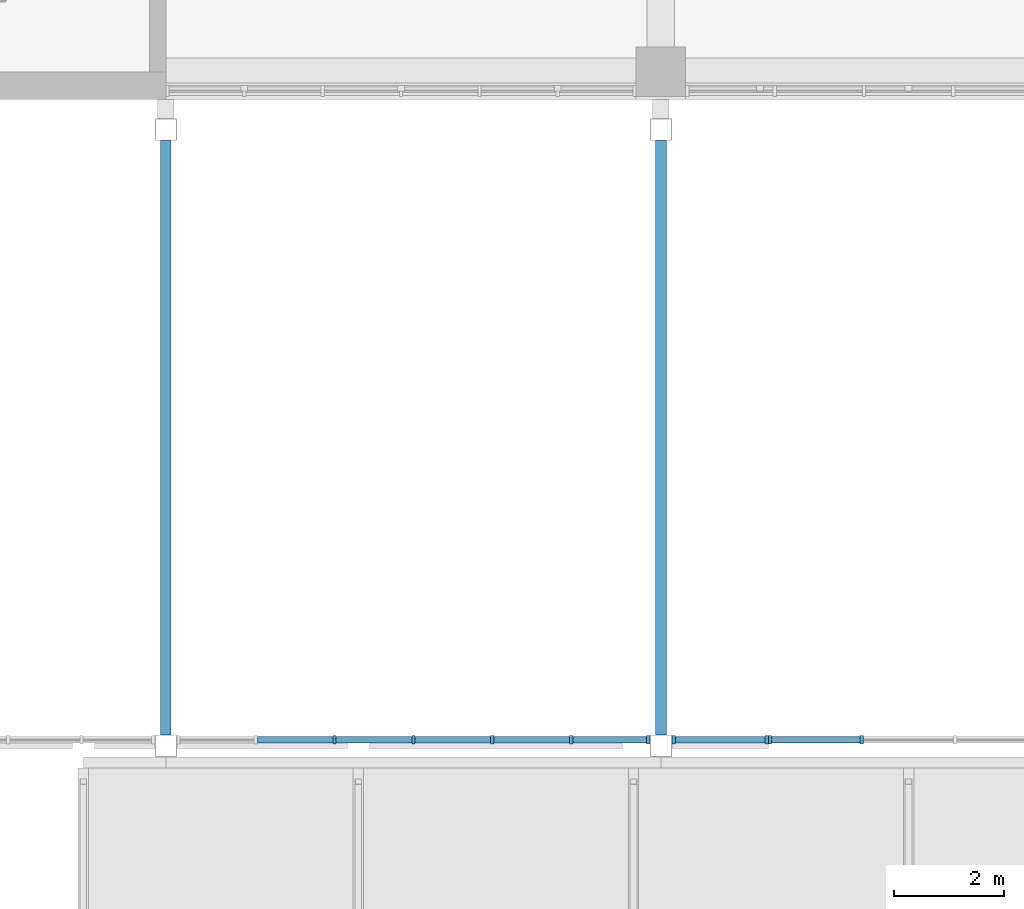
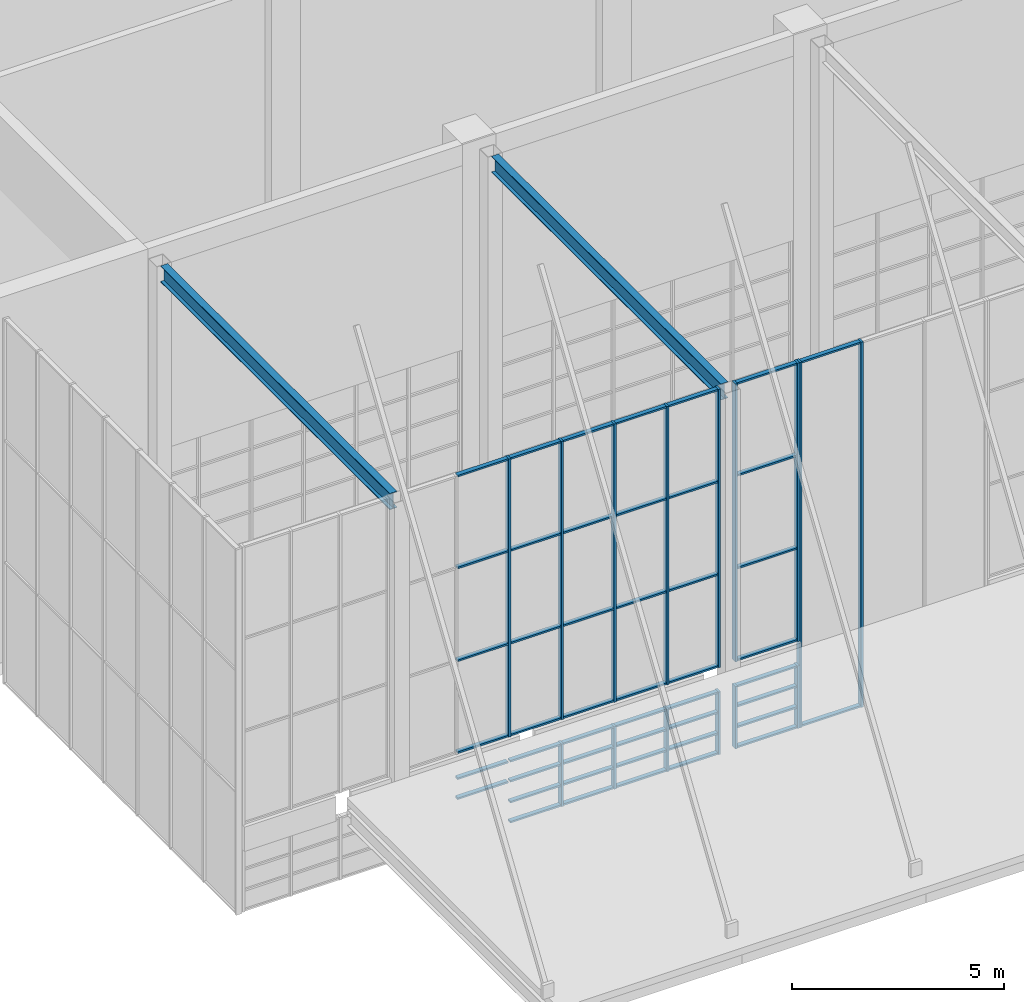
# One storey, part 18 of 182: 63 members, 2 beams, 5 elements without a shape of their own.
"""IFC4 building model written with IfcOpenShell, lengths in metres."""

from ifc_helpers import new_model, si_unit, direction, frame, origin, origin_2d, place, context, subcontext, project, spatial, rectangle, i_section, extrude, material, material_profile, profile_set, type_object, element, aggregate, save


model = new_model("IFC4")

# Units and contexts
model_context = context("Model", 3, precision=1e-05, world=origin(), true_north=direction((0.0, 1.0)))
body_context = subcontext(model_context, "Body", "Model", "MODEL_VIEW")
ifc_project = project(units=[si_unit("LENGTHUNIT", "METRE"), si_unit("AREAUNIT", "SQUARE_METRE"), si_unit("VOLUMEUNIT", "CUBIC_METRE"), si_unit("PLANEANGLEUNIT", "RADIAN"), si_unit("MASSUNIT", "GRAM", prefix="KILO")], contexts=[model_context])

# Site, building, storey
site_placement = place(None, origin())
site = spatial("IfcSite", under=ifc_project, at=site_placement, CompositionType="ELEMENT")
building_placement = place(site_placement, origin())
building = spatial("IfcBuilding", under=site, at=building_placement, Name="Silverbay Arena", CompositionType="ELEMENT")
storey_placement = place(building_placement, frame((0.0, 0.0, 11.5)))
storey = spatial("IfcBuildingStorey", under=building, at=storey_placement, Name="L02", CompositionType="ELEMENT", Elevation=11.5)

# Beams
ifc_material_1 = material(Name="Steel S355", Category="steel")
ifc_material_profile_1 = material_profile(ifc_material_1, i_section(OverallWidth=0.19287109375, OverallDepth=0.46728515625, WebThickness=0.011474609375, FlangeThickness=0.01953125, at=origin_2d()), Name="UB 457x191x98")
ifc_profile_set_1 = profile_set([ifc_material_profile_1], Name="Steel S355")
beam_type = type_object("IfcBeamType", Name="Hall beam UB 457x191x98", PredefinedType="BEAM", material=ifc_profile_set_1)
for number, where, z_axis, x_axis, name in (
    (1, (117.0, 16.75, 10.266357421875), (0.0, -1.0, 0.0), (1.0, 0.0, 0.0), "South entrance hall S1 transverse beam 1L22"),
    (2, (126.0, 16.75, 10.266357421875), (0.0, -1.0, 0.0), (1.0, 0.0, 0.0), "South entrance hall S1 transverse beam 2L22"),
):
    element("IfcBeam", number, at=place(storey_placement, frame(where, z_axis=z_axis, x_axis=x_axis)), inside=storey, type_object=beam_type, Name=name, PredefinedType="BEAM", context=body_context, shape_type="SweptSolid", body=[
        extrude(i_section(OverallWidth=0.19287109375, OverallDepth=0.46728515625, WebThickness=0.011474609375, FlangeThickness=0.01953125, at=origin_2d()), origin(), (0.0, 0.0, 1.0), 10.800048828125),
    ])

# Curtain wall, members
ifc_material_2 = material(Name="Aluminium framed curtain wall", Category="aluminium")
curtain_wall_type_1 = type_object("IfcCurtainWallType", Name="Curtain wall 8600 x 1800", PredefinedType="NOTDEFINED", material=ifc_material_2)
curtain_wall_1_placement = place(storey_placement, origin())
curtain_wall_1 = element("IfcCurtainWall", 3, at=curtain_wall_1_placement, inside=storey, type_object=curtain_wall_type_1, Name="South entrance hall S1 glazing F0", PredefinedType="NOTDEFINED")
ifc_material_3 = material(Name="Aluminium", Category="aluminium")
ifc_material_profile_2 = material_profile(ifc_material_3, rectangle(XDim=0.159912109375, YDim=0.06005859375, at=origin_2d()), Name="Mullion 60 x 160")
ifc_profile_set_2 = profile_set([ifc_material_profile_2], Name="Aluminium")
member_type_1 = type_object("IfcMemberType", Name="Mullion 60 x 160", PredefinedType="MULLION", material=ifc_profile_set_2)
member_1_placement = place(storey_placement, frame((121.5, 5.860107421875, 0.0), z_axis=(0.0, 0.0, 1.0), x_axis=(0.0, 1.0, 0.0)))
member_1 = element("IfcMember", 4, at=member_1_placement, type_object=member_type_1, Name="CW25 mullion 4", PredefinedType="MULLION", context=body_context, shape_type="SweptSolid", body=[
    extrude(rectangle(XDim=0.159912109375, YDim=0.06005859375, at=origin_2d()), origin(), (0.0, 0.0, 1.0), 1.800048828125),
])
member_2_placement = place(storey_placement, frame((122.933349609375, 5.860107421875, 0.0), z_axis=(0.0, 0.0, 1.0), x_axis=(0.0, 1.0, 0.0)))
member_2 = element("IfcMember", 5, at=member_2_placement, type_object=member_type_1, Name="CW25 mullion 5", PredefinedType="MULLION", context=body_context, shape_type="SweptSolid", body=[
    extrude(rectangle(XDim=0.159912109375, YDim=0.06005859375, at=origin_2d()), origin(), (0.0, 0.0, 1.0), 1.800048828125),
])
member_3_placement = place(storey_placement, frame((124.36669921875, 5.860107421875, 0.0), z_axis=(0.0, 0.0, 1.0), x_axis=(0.0, 1.0, 0.0)))
member_3 = element("IfcMember", 6, at=member_3_placement, type_object=member_type_1, Name="CW25 mullion 6", PredefinedType="MULLION", context=body_context, shape_type="SweptSolid", body=[
    extrude(rectangle(XDim=0.159912109375, YDim=0.06005859375, at=origin_2d()), origin(), (0.0, 0.0, 1.0), 1.800048828125),
])
member_4_placement = place(storey_placement, frame((125.77001953125, 5.860107421875, 0.0), z_axis=(0.0, 0.0, 1.0), x_axis=(0.0, 1.0, 0.0)))
member_4 = element("IfcMember", 7, at=member_4_placement, type_object=member_type_1, Name="CW25 mullion 7", PredefinedType="MULLION", context=body_context, shape_type="SweptSolid", body=[
    extrude(rectangle(XDim=0.159912109375, YDim=0.06005859375, at=origin_2d()), origin(), (0.0, 0.0, 1.0), 1.800048828125),
])

ifc_material_4 = material(Name="Aluminium framed curtain wall", Category="aluminium")
curtain_wall_type_2 = type_object("IfcCurtainWallType", Name="Curtain wall 8600 x 8000", PredefinedType="NOTDEFINED", material=ifc_material_4)
curtain_wall_2_placement = place(storey_placement, origin())
curtain_wall_2 = element("IfcCurtainWall", 8, at=curtain_wall_2_placement, inside=storey, type_object=curtain_wall_type_2, Name="South entrance hall S1 glazing F0", PredefinedType="NOTDEFINED")
member_5_placement = place(storey_placement, frame((120.066650390625, 5.860107421875, 2.5), z_axis=(0.0, 0.0, 1.0), x_axis=(0.0, 1.0, 0.0)))
member_5 = element("IfcMember", 9, at=member_5_placement, type_object=member_type_1, Name="CW26 mullion 3", PredefinedType="MULLION", context=body_context, shape_type="SweptSolid", body=[
    extrude(rectangle(XDim=0.159912109375, YDim=0.06005859375, at=origin_2d()), origin(), (0.0, 0.0, 1.0), 8.0),
])
member_6_placement = place(storey_placement, frame((121.5, 5.860107421875, 2.5), z_axis=(0.0, 0.0, 1.0), x_axis=(0.0, 1.0, 0.0)))
member_6 = element("IfcMember", 10, at=member_6_placement, type_object=member_type_1, Name="CW26 mullion 4", PredefinedType="MULLION", context=body_context, shape_type="SweptSolid", body=[
    extrude(rectangle(XDim=0.159912109375, YDim=0.06005859375, at=origin_2d()), origin(), (0.0, 0.0, 1.0), 8.0),
])
member_7_placement = place(storey_placement, frame((122.933349609375, 5.860107421875, 2.5), z_axis=(0.0, 0.0, 1.0), x_axis=(0.0, 1.0, 0.0)))
member_7 = element("IfcMember", 11, at=member_7_placement, type_object=member_type_1, Name="CW26 mullion 5", PredefinedType="MULLION", context=body_context, shape_type="SweptSolid", body=[
    extrude(rectangle(XDim=0.159912109375, YDim=0.06005859375, at=origin_2d()), origin(), (0.0, 0.0, 1.0), 8.0),
])
member_8_placement = place(storey_placement, frame((124.36669921875, 5.860107421875, 2.5), z_axis=(0.0, 0.0, 1.0), x_axis=(0.0, 1.0, 0.0)))
member_8 = element("IfcMember", 12, at=member_8_placement, type_object=member_type_1, Name="CW26 mullion 6", PredefinedType="MULLION", context=body_context, shape_type="SweptSolid", body=[
    extrude(rectangle(XDim=0.159912109375, YDim=0.06005859375, at=origin_2d()), origin(), (0.0, 0.0, 1.0), 8.0),
])
member_9_placement = place(storey_placement, frame((125.77001953125, 5.860107421875, 2.5), z_axis=(0.0, 0.0, 1.0), x_axis=(0.0, 1.0, 0.0)))
member_9 = element("IfcMember", 13, at=member_9_placement, type_object=member_type_1, Name="CW26 mullion 7", PredefinedType="MULLION", context=body_context, shape_type="SweptSolid", body=[
    extrude(rectangle(XDim=0.159912109375, YDim=0.06005859375, at=origin_2d()), origin(), (0.0, 0.0, 1.0), 8.0),
])

ifc_material_5 = material(Name="Aluminium framed curtain wall", Category="aluminium")
curtain_wall_type_3 = type_object("IfcCurtainWallType", Name="Curtain wall 1750 x 1800", PredefinedType="NOTDEFINED", material=ifc_material_5)
curtain_wall_3_placement = place(storey_placement, origin())
curtain_wall_3 = element("IfcCurtainWall", 14, at=curtain_wall_3_placement, inside=storey, type_object=curtain_wall_type_3, Name="South entrance hall S1 glazing F1a", PredefinedType="NOTDEFINED")
member_10_placement = place(storey_placement, frame((126.22998046875, 5.860107421875, 0.0), z_axis=(0.0, 0.0, 1.0), x_axis=(0.0, 1.0, 0.0)))
member_10 = element("IfcMember", 15, at=member_10_placement, type_object=member_type_1, Name="CW29 mullion 1", PredefinedType="MULLION", context=body_context, shape_type="SweptSolid", body=[
    extrude(rectangle(XDim=0.159912109375, YDim=0.06005859375, at=origin_2d()), origin(), (0.0, 0.0, 1.0), 1.800048828125),
])
member_11_placement = place(storey_placement, frame((127.919921875, 5.860107421875, 0.0), z_axis=(0.0, 0.0, 1.0), x_axis=(0.0, 1.0, 0.0)))
member_11 = element("IfcMember", 16, at=member_11_placement, type_object=member_type_1, Name="CW29 mullion 2", PredefinedType="MULLION", context=body_context, shape_type="SweptSolid", body=[
    extrude(rectangle(XDim=0.159912109375, YDim=0.06005859375, at=origin_2d()), origin(), (0.0, 0.0, 1.0), 1.800048828125),
])

ifc_material_6 = material(Name="Aluminium framed curtain wall", Category="aluminium")
curtain_wall_type_4 = type_object("IfcCurtainWallType", Name="Curtain wall 1750 x 8000", PredefinedType="NOTDEFINED", material=ifc_material_6)
curtain_wall_4_placement = place(storey_placement, origin())
curtain_wall_4 = element("IfcCurtainWall", 17, at=curtain_wall_4_placement, inside=storey, type_object=curtain_wall_type_4, Name="South entrance hall S1 glazing F1a", PredefinedType="NOTDEFINED")
member_12_placement = place(storey_placement, frame((126.22998046875, 5.860107421875, 2.5), z_axis=(0.0, 0.0, 1.0), x_axis=(0.0, 1.0, 0.0)))
member_12 = element("IfcMember", 18, at=member_12_placement, type_object=member_type_1, Name="CW30 mullion 1", PredefinedType="MULLION", context=body_context, shape_type="SweptSolid", body=[
    extrude(rectangle(XDim=0.159912109375, YDim=0.06005859375, at=origin_2d()), origin(), (0.0, 0.0, 1.0), 8.0),
])
member_13_placement = place(storey_placement, frame((127.919921875, 5.860107421875, 2.5), z_axis=(0.0, 0.0, 1.0), x_axis=(0.0, 1.0, 0.0)))
member_13 = element("IfcMember", 19, at=member_13_placement, type_object=member_type_1, Name="CW30 mullion 2", PredefinedType="MULLION", context=body_context, shape_type="SweptSolid", body=[
    extrude(rectangle(XDim=0.159912109375, YDim=0.06005859375, at=origin_2d()), origin(), (0.0, 0.0, 1.0), 8.0),
])

ifc_material_7 = material(Name="Aluminium framed curtain wall", Category="aluminium")
curtain_wall_type_5 = type_object("IfcCurtainWallType", Name="Curtain wall 5100 x 10500", PredefinedType="NOTDEFINED", material=ifc_material_7)
curtain_wall_5_placement = place(storey_placement, origin())
curtain_wall_5 = element("IfcCurtainWall", 20, at=curtain_wall_5_placement, inside=storey, type_object=curtain_wall_type_5, Name="South entrance hall S1 glazing over the door", PredefinedType="NOTDEFINED")
member_14_placement = place(storey_placement, frame((127.97998046875, 5.860107421875, 0.0), z_axis=(0.0, 0.0, 1.0), x_axis=(0.0, 1.0, 0.0)))
member_14 = element("IfcMember", 21, at=member_14_placement, type_object=member_type_1, Name="CW40 mullion 1", PredefinedType="MULLION", context=body_context, shape_type="SweptSolid", body=[
    extrude(rectangle(XDim=0.159912109375, YDim=0.06005859375, at=origin_2d()), origin(), (0.0, 0.0, 1.0), 10.5),
])
member_15_placement = place(storey_placement, frame((129.64990234375, 5.860107421875, 0.0), z_axis=(0.0, 0.0, 1.0), x_axis=(0.0, 1.0, 0.0)))
member_15 = element("IfcMember", 22, at=member_15_placement, type_object=member_type_1, Name="CW40 mullion 2", PredefinedType="MULLION", context=body_context, shape_type="SweptSolid", body=[
    extrude(rectangle(XDim=0.159912109375, YDim=0.06005859375, at=origin_2d()), origin(), (0.0, 0.0, 1.0), 10.5),
])

# Member
ifc_material_8 = material(Name="Aluminium", Category="aluminium")
ifc_material_profile_3 = material_profile(ifc_material_8, rectangle(XDim=0.1201171875, YDim=0.050048828125, at=origin_2d()), Name="Transom 50 x 120")
ifc_profile_set_3 = profile_set([ifc_material_profile_3], Name="Aluminium")
member_type_2 = type_object("IfcMemberType", Name="Transom 50 x 120", PredefinedType="USERDEFINED", material=ifc_profile_set_3)
member_16_placement = place(storey_placement, frame((118.663330078125, 5.860107421875, 1.199951171875), z_axis=(1.0, 0.0, 0.0), x_axis=(0.0, 1.0, 0.0)))
member_16 = element("IfcMember", 23, at=member_16_placement, type_object=member_type_2, Name="CW25 transom 2.3", ObjectType="TRANSOM", PredefinedType="USERDEFINED", context=body_context, shape_type="SweptSolid", body=[
    extrude(rectangle(XDim=0.1201171875, YDim=0.050048828125, at=origin_2d()), origin(), (0.0, 0.0, 1.0), 1.373291015625),
])

member_17_placement = place(storey_placement, frame((118.663330078125, 5.860107421875, 1.77490234375), z_axis=(1.0, 0.0, 0.0), x_axis=(0.0, 1.0, 0.0)))
member_17 = element("IfcMember", 24, at=member_17_placement, type_object=member_type_2, Name="CW25 transom 2.4", ObjectType="TRANSOM", PredefinedType="USERDEFINED", context=body_context, shape_type="SweptSolid", body=[
    extrude(rectangle(XDim=0.1201171875, YDim=0.050048828125, at=origin_2d()), origin(), (0.0, 0.0, 1.0), 1.373291015625),
])

member_18_placement = place(storey_placement, frame((120.0966796875, 5.860107421875, 0.02490234375), z_axis=(1.0, 0.0, 0.0), x_axis=(0.0, 1.0, 0.0)))
member_18 = element("IfcMember", 25, at=member_18_placement, type_object=member_type_2, Name="CW25 transom 3.1", ObjectType="TRANSOM", PredefinedType="USERDEFINED", context=body_context, shape_type="SweptSolid", body=[
    extrude(rectangle(XDim=0.1201171875, YDim=0.050048828125, at=origin_2d()), origin(), (0.0, 0.0, 1.0), 1.373291015625),
])

member_19_placement = place(storey_placement, frame((120.0966796875, 5.860107421875, 0.60009765625), z_axis=(1.0, 0.0, 0.0), x_axis=(0.0, 1.0, 0.0)))
member_19 = element("IfcMember", 26, at=member_19_placement, type_object=member_type_2, Name="CW25 transom 3.2", ObjectType="TRANSOM", PredefinedType="USERDEFINED", context=body_context, shape_type="SweptSolid", body=[
    extrude(rectangle(XDim=0.1201171875, YDim=0.050048828125, at=origin_2d()), origin(), (0.0, 0.0, 1.0), 1.373291015625),
])

member_20_placement = place(storey_placement, frame((120.0966796875, 5.860107421875, 1.199951171875), z_axis=(1.0, 0.0, 0.0), x_axis=(0.0, 1.0, 0.0)))
member_20 = element("IfcMember", 27, at=member_20_placement, type_object=member_type_2, Name="CW25 transom 3.3", ObjectType="TRANSOM", PredefinedType="USERDEFINED", context=body_context, shape_type="SweptSolid", body=[
    extrude(rectangle(XDim=0.1201171875, YDim=0.050048828125, at=origin_2d()), origin(), (0.0, 0.0, 1.0), 1.373291015625),
])

member_21_placement = place(storey_placement, frame((120.0966796875, 5.860107421875, 1.77490234375), z_axis=(1.0, 0.0, 0.0), x_axis=(0.0, 1.0, 0.0)))
member_21 = element("IfcMember", 28, at=member_21_placement, type_object=member_type_2, Name="CW25 transom 3.4", ObjectType="TRANSOM", PredefinedType="USERDEFINED", context=body_context, shape_type="SweptSolid", body=[
    extrude(rectangle(XDim=0.1201171875, YDim=0.050048828125, at=origin_2d()), origin(), (0.0, 0.0, 1.0), 1.373291015625),
])

member_22_placement = place(storey_placement, frame((121.530029296875, 5.860107421875, 0.02490234375), z_axis=(1.0, 0.0, 0.0), x_axis=(0.0, 1.0, 0.0)))
member_22 = element("IfcMember", 29, at=member_22_placement, type_object=member_type_2, Name="CW25 transom 4.1", ObjectType="TRANSOM", PredefinedType="USERDEFINED", context=body_context, shape_type="SweptSolid", body=[
    extrude(rectangle(XDim=0.1201171875, YDim=0.050048828125, at=origin_2d()), origin(), (0.0, 0.0, 1.0), 1.373291015625),
])

member_23_placement = place(storey_placement, frame((121.530029296875, 5.860107421875, 0.60009765625), z_axis=(1.0, 0.0, 0.0), x_axis=(0.0, 1.0, 0.0)))
member_23 = element("IfcMember", 30, at=member_23_placement, type_object=member_type_2, Name="CW25 transom 4.2", ObjectType="TRANSOM", PredefinedType="USERDEFINED", context=body_context, shape_type="SweptSolid", body=[
    extrude(rectangle(XDim=0.1201171875, YDim=0.050048828125, at=origin_2d()), origin(), (0.0, 0.0, 1.0), 1.373291015625),
])

member_24_placement = place(storey_placement, frame((121.530029296875, 5.860107421875, 1.199951171875), z_axis=(1.0, 0.0, 0.0), x_axis=(0.0, 1.0, 0.0)))
member_24 = element("IfcMember", 31, at=member_24_placement, type_object=member_type_2, Name="CW25 transom 4.3", ObjectType="TRANSOM", PredefinedType="USERDEFINED", context=body_context, shape_type="SweptSolid", body=[
    extrude(rectangle(XDim=0.1201171875, YDim=0.050048828125, at=origin_2d()), origin(), (0.0, 0.0, 1.0), 1.373291015625),
])

member_25_placement = place(storey_placement, frame((121.530029296875, 5.860107421875, 1.77490234375), z_axis=(1.0, 0.0, 0.0), x_axis=(0.0, 1.0, 0.0)))
member_25 = element("IfcMember", 32, at=member_25_placement, type_object=member_type_2, Name="CW25 transom 4.4", ObjectType="TRANSOM", PredefinedType="USERDEFINED", context=body_context, shape_type="SweptSolid", body=[
    extrude(rectangle(XDim=0.1201171875, YDim=0.050048828125, at=origin_2d()), origin(), (0.0, 0.0, 1.0), 1.373291015625),
])

member_26_placement = place(storey_placement, frame((122.96337890625, 5.860107421875, 0.02490234375), z_axis=(1.0, 0.0, 0.0), x_axis=(0.0, 1.0, 0.0)))
member_26 = element("IfcMember", 33, at=member_26_placement, type_object=member_type_2, Name="CW25 transom 5.1", ObjectType="TRANSOM", PredefinedType="USERDEFINED", context=body_context, shape_type="SweptSolid", body=[
    extrude(rectangle(XDim=0.1201171875, YDim=0.050048828125, at=origin_2d()), origin(), (0.0, 0.0, 1.0), 1.373291015625),
])

member_27_placement = place(storey_placement, frame((122.96337890625, 5.860107421875, 0.60009765625), z_axis=(1.0, 0.0, 0.0), x_axis=(0.0, 1.0, 0.0)))
member_27 = element("IfcMember", 34, at=member_27_placement, type_object=member_type_2, Name="CW25 transom 5.2", ObjectType="TRANSOM", PredefinedType="USERDEFINED", context=body_context, shape_type="SweptSolid", body=[
    extrude(rectangle(XDim=0.1201171875, YDim=0.050048828125, at=origin_2d()), origin(), (0.0, 0.0, 1.0), 1.373291015625),
])

member_28_placement = place(storey_placement, frame((122.96337890625, 5.860107421875, 1.199951171875), z_axis=(1.0, 0.0, 0.0), x_axis=(0.0, 1.0, 0.0)))
member_28 = element("IfcMember", 35, at=member_28_placement, type_object=member_type_2, Name="CW25 transom 5.3", ObjectType="TRANSOM", PredefinedType="USERDEFINED", context=body_context, shape_type="SweptSolid", body=[
    extrude(rectangle(XDim=0.1201171875, YDim=0.050048828125, at=origin_2d()), origin(), (0.0, 0.0, 1.0), 1.373291015625),
])

member_29_placement = place(storey_placement, frame((122.96337890625, 5.860107421875, 1.77490234375), z_axis=(1.0, 0.0, 0.0), x_axis=(0.0, 1.0, 0.0)))
member_29 = element("IfcMember", 36, at=member_29_placement, type_object=member_type_2, Name="CW25 transom 5.4", ObjectType="TRANSOM", PredefinedType="USERDEFINED", context=body_context, shape_type="SweptSolid", body=[
    extrude(rectangle(XDim=0.1201171875, YDim=0.050048828125, at=origin_2d()), origin(), (0.0, 0.0, 1.0), 1.373291015625),
])

member_30_placement = place(storey_placement, frame((124.396728515625, 5.860107421875, 0.02490234375), z_axis=(1.0, 0.0, 0.0), x_axis=(0.0, 1.0, 0.0)))
member_30 = element("IfcMember", 37, at=member_30_placement, type_object=member_type_2, Name="CW25 transom 6.1", ObjectType="TRANSOM", PredefinedType="USERDEFINED", context=body_context, shape_type="SweptSolid", body=[
    extrude(rectangle(XDim=0.1201171875, YDim=0.050048828125, at=origin_2d()), origin(), (0.0, 0.0, 1.0), 1.34326171875),
])

member_31_placement = place(storey_placement, frame((124.396728515625, 5.860107421875, 0.60009765625), z_axis=(1.0, 0.0, 0.0), x_axis=(0.0, 1.0, 0.0)))
member_31 = element("IfcMember", 38, at=member_31_placement, type_object=member_type_2, Name="CW25 transom 6.2", ObjectType="TRANSOM", PredefinedType="USERDEFINED", context=body_context, shape_type="SweptSolid", body=[
    extrude(rectangle(XDim=0.1201171875, YDim=0.050048828125, at=origin_2d()), origin(), (0.0, 0.0, 1.0), 1.34326171875),
])

member_32_placement = place(storey_placement, frame((124.396728515625, 5.860107421875, 1.199951171875), z_axis=(1.0, 0.0, 0.0), x_axis=(0.0, 1.0, 0.0)))
member_32 = element("IfcMember", 39, at=member_32_placement, type_object=member_type_2, Name="CW25 transom 6.3", ObjectType="TRANSOM", PredefinedType="USERDEFINED", context=body_context, shape_type="SweptSolid", body=[
    extrude(rectangle(XDim=0.1201171875, YDim=0.050048828125, at=origin_2d()), origin(), (0.0, 0.0, 1.0), 1.34326171875),
])

member_33_placement = place(storey_placement, frame((124.396728515625, 5.860107421875, 1.77490234375), z_axis=(1.0, 0.0, 0.0), x_axis=(0.0, 1.0, 0.0)))
member_33 = element("IfcMember", 40, at=member_33_placement, type_object=member_type_2, Name="CW25 transom 6.4", ObjectType="TRANSOM", PredefinedType="USERDEFINED", context=body_context, shape_type="SweptSolid", body=[
    extrude(rectangle(XDim=0.1201171875, YDim=0.050048828125, at=origin_2d()), origin(), (0.0, 0.0, 1.0), 1.34326171875),
])

aggregate(curtain_wall_1, [member_1, member_2, member_3, member_4, member_16, member_17, member_18, member_19, member_20, member_21, member_22, member_23, member_24, member_25, member_26, member_27, member_28, member_29, member_30, member_31, member_32, member_33])

member_34_placement = place(storey_placement, frame((118.663330078125, 5.860107421875, 2.52490234375), z_axis=(1.0, 0.0, 0.0), x_axis=(0.0, 1.0, 0.0)))
member_34 = element("IfcMember", 41, at=member_34_placement, type_object=member_type_2, Name="CW26 transom 2.1", ObjectType="TRANSOM", PredefinedType="USERDEFINED", context=body_context, shape_type="SweptSolid", body=[
    extrude(rectangle(XDim=0.1201171875, YDim=0.050048828125, at=origin_2d()), origin(), (0.0, 0.0, 1.0), 1.373291015625),
])

member_35_placement = place(storey_placement, frame((118.663330078125, 5.860107421875, 5.166748046875), z_axis=(1.0, 0.0, 0.0), x_axis=(0.0, 1.0, 0.0)))
member_35 = element("IfcMember", 42, at=member_35_placement, type_object=member_type_2, Name="CW26 transom 2.2", ObjectType="TRANSOM", PredefinedType="USERDEFINED", context=body_context, shape_type="SweptSolid", body=[
    extrude(rectangle(XDim=0.1201171875, YDim=0.050048828125, at=origin_2d()), origin(), (0.0, 0.0, 1.0), 1.373291015625),
])

member_36_placement = place(storey_placement, frame((118.663330078125, 5.860107421875, 7.833251953125), z_axis=(1.0, 0.0, 0.0), x_axis=(0.0, 1.0, 0.0)))
member_36 = element("IfcMember", 43, at=member_36_placement, type_object=member_type_2, Name="CW26 transom 2.3", ObjectType="TRANSOM", PredefinedType="USERDEFINED", context=body_context, shape_type="SweptSolid", body=[
    extrude(rectangle(XDim=0.1201171875, YDim=0.050048828125, at=origin_2d()), origin(), (0.0, 0.0, 1.0), 1.373291015625),
])

member_37_placement = place(storey_placement, frame((118.663330078125, 5.860107421875, 10.47509765625), z_axis=(1.0, 0.0, 0.0), x_axis=(0.0, 1.0, 0.0)))
member_37 = element("IfcMember", 44, at=member_37_placement, type_object=member_type_2, Name="CW26 transom 2.4", ObjectType="TRANSOM", PredefinedType="USERDEFINED", context=body_context, shape_type="SweptSolid", body=[
    extrude(rectangle(XDim=0.1201171875, YDim=0.050048828125, at=origin_2d()), origin(), (0.0, 0.0, 1.0), 1.373291015625),
])

member_38_placement = place(storey_placement, frame((120.0966796875, 5.860107421875, 2.52490234375), z_axis=(1.0, 0.0, 0.0), x_axis=(0.0, 1.0, 0.0)))
member_38 = element("IfcMember", 45, at=member_38_placement, type_object=member_type_2, Name="CW26 transom 3.1", ObjectType="TRANSOM", PredefinedType="USERDEFINED", context=body_context, shape_type="SweptSolid", body=[
    extrude(rectangle(XDim=0.1201171875, YDim=0.050048828125, at=origin_2d()), origin(), (0.0, 0.0, 1.0), 1.373291015625),
])

member_39_placement = place(storey_placement, frame((120.0966796875, 5.860107421875, 5.166748046875), z_axis=(1.0, 0.0, 0.0), x_axis=(0.0, 1.0, 0.0)))
member_39 = element("IfcMember", 46, at=member_39_placement, type_object=member_type_2, Name="CW26 transom 3.2", ObjectType="TRANSOM", PredefinedType="USERDEFINED", context=body_context, shape_type="SweptSolid", body=[
    extrude(rectangle(XDim=0.1201171875, YDim=0.050048828125, at=origin_2d()), origin(), (0.0, 0.0, 1.0), 1.373291015625),
])

member_40_placement = place(storey_placement, frame((120.0966796875, 5.860107421875, 7.833251953125), z_axis=(1.0, 0.0, 0.0), x_axis=(0.0, 1.0, 0.0)))
member_40 = element("IfcMember", 47, at=member_40_placement, type_object=member_type_2, Name="CW26 transom 3.3", ObjectType="TRANSOM", PredefinedType="USERDEFINED", context=body_context, shape_type="SweptSolid", body=[
    extrude(rectangle(XDim=0.1201171875, YDim=0.050048828125, at=origin_2d()), origin(), (0.0, 0.0, 1.0), 1.373291015625),
])

member_41_placement = place(storey_placement, frame((120.0966796875, 5.860107421875, 10.47509765625), z_axis=(1.0, 0.0, 0.0), x_axis=(0.0, 1.0, 0.0)))
member_41 = element("IfcMember", 48, at=member_41_placement, type_object=member_type_2, Name="CW26 transom 3.4", ObjectType="TRANSOM", PredefinedType="USERDEFINED", context=body_context, shape_type="SweptSolid", body=[
    extrude(rectangle(XDim=0.1201171875, YDim=0.050048828125, at=origin_2d()), origin(), (0.0, 0.0, 1.0), 1.373291015625),
])

member_42_placement = place(storey_placement, frame((121.530029296875, 5.860107421875, 2.52490234375), z_axis=(1.0, 0.0, 0.0), x_axis=(0.0, 1.0, 0.0)))
member_42 = element("IfcMember", 49, at=member_42_placement, type_object=member_type_2, Name="CW26 transom 4.1", ObjectType="TRANSOM", PredefinedType="USERDEFINED", context=body_context, shape_type="SweptSolid", body=[
    extrude(rectangle(XDim=0.1201171875, YDim=0.050048828125, at=origin_2d()), origin(), (0.0, 0.0, 1.0), 1.373291015625),
])

member_43_placement = place(storey_placement, frame((121.530029296875, 5.860107421875, 5.166748046875), z_axis=(1.0, 0.0, 0.0), x_axis=(0.0, 1.0, 0.0)))
member_43 = element("IfcMember", 50, at=member_43_placement, type_object=member_type_2, Name="CW26 transom 4.2", ObjectType="TRANSOM", PredefinedType="USERDEFINED", context=body_context, shape_type="SweptSolid", body=[
    extrude(rectangle(XDim=0.1201171875, YDim=0.050048828125, at=origin_2d()), origin(), (0.0, 0.0, 1.0), 1.373291015625),
])

member_44_placement = place(storey_placement, frame((121.530029296875, 5.860107421875, 7.833251953125), z_axis=(1.0, 0.0, 0.0), x_axis=(0.0, 1.0, 0.0)))
member_44 = element("IfcMember", 51, at=member_44_placement, type_object=member_type_2, Name="CW26 transom 4.3", ObjectType="TRANSOM", PredefinedType="USERDEFINED", context=body_context, shape_type="SweptSolid", body=[
    extrude(rectangle(XDim=0.1201171875, YDim=0.050048828125, at=origin_2d()), origin(), (0.0, 0.0, 1.0), 1.373291015625),
])

member_45_placement = place(storey_placement, frame((121.530029296875, 5.860107421875, 10.47509765625), z_axis=(1.0, 0.0, 0.0), x_axis=(0.0, 1.0, 0.0)))
member_45 = element("IfcMember", 52, at=member_45_placement, type_object=member_type_2, Name="CW26 transom 4.4", ObjectType="TRANSOM", PredefinedType="USERDEFINED", context=body_context, shape_type="SweptSolid", body=[
    extrude(rectangle(XDim=0.1201171875, YDim=0.050048828125, at=origin_2d()), origin(), (0.0, 0.0, 1.0), 1.373291015625),
])

member_46_placement = place(storey_placement, frame((122.96337890625, 5.860107421875, 2.52490234375), z_axis=(1.0, 0.0, 0.0), x_axis=(0.0, 1.0, 0.0)))
member_46 = element("IfcMember", 53, at=member_46_placement, type_object=member_type_2, Name="CW26 transom 5.1", ObjectType="TRANSOM", PredefinedType="USERDEFINED", context=body_context, shape_type="SweptSolid", body=[
    extrude(rectangle(XDim=0.1201171875, YDim=0.050048828125, at=origin_2d()), origin(), (0.0, 0.0, 1.0), 1.373291015625),
])

member_47_placement = place(storey_placement, frame((122.96337890625, 5.860107421875, 5.166748046875), z_axis=(1.0, 0.0, 0.0), x_axis=(0.0, 1.0, 0.0)))
member_47 = element("IfcMember", 54, at=member_47_placement, type_object=member_type_2, Name="CW26 transom 5.2", ObjectType="TRANSOM", PredefinedType="USERDEFINED", context=body_context, shape_type="SweptSolid", body=[
    extrude(rectangle(XDim=0.1201171875, YDim=0.050048828125, at=origin_2d()), origin(), (0.0, 0.0, 1.0), 1.373291015625),
])

member_48_placement = place(storey_placement, frame((122.96337890625, 5.860107421875, 7.833251953125), z_axis=(1.0, 0.0, 0.0), x_axis=(0.0, 1.0, 0.0)))
member_48 = element("IfcMember", 55, at=member_48_placement, type_object=member_type_2, Name="CW26 transom 5.3", ObjectType="TRANSOM", PredefinedType="USERDEFINED", context=body_context, shape_type="SweptSolid", body=[
    extrude(rectangle(XDim=0.1201171875, YDim=0.050048828125, at=origin_2d()), origin(), (0.0, 0.0, 1.0), 1.373291015625),
])

member_49_placement = place(storey_placement, frame((122.96337890625, 5.860107421875, 10.47509765625), z_axis=(1.0, 0.0, 0.0), x_axis=(0.0, 1.0, 0.0)))
member_49 = element("IfcMember", 56, at=member_49_placement, type_object=member_type_2, Name="CW26 transom 5.4", ObjectType="TRANSOM", PredefinedType="USERDEFINED", context=body_context, shape_type="SweptSolid", body=[
    extrude(rectangle(XDim=0.1201171875, YDim=0.050048828125, at=origin_2d()), origin(), (0.0, 0.0, 1.0), 1.373291015625),
])

member_50_placement = place(storey_placement, frame((124.396728515625, 5.860107421875, 2.52490234375), z_axis=(1.0, 0.0, 0.0), x_axis=(0.0, 1.0, 0.0)))
member_50 = element("IfcMember", 57, at=member_50_placement, type_object=member_type_2, Name="CW26 transom 6.1", ObjectType="TRANSOM", PredefinedType="USERDEFINED", context=body_context, shape_type="SweptSolid", body=[
    extrude(rectangle(XDim=0.1201171875, YDim=0.050048828125, at=origin_2d()), origin(), (0.0, 0.0, 1.0), 1.34326171875),
])

member_51_placement = place(storey_placement, frame((124.396728515625, 5.860107421875, 5.166748046875), z_axis=(1.0, 0.0, 0.0), x_axis=(0.0, 1.0, 0.0)))
member_51 = element("IfcMember", 58, at=member_51_placement, type_object=member_type_2, Name="CW26 transom 6.2", ObjectType="TRANSOM", PredefinedType="USERDEFINED", context=body_context, shape_type="SweptSolid", body=[
    extrude(rectangle(XDim=0.1201171875, YDim=0.050048828125, at=origin_2d()), origin(), (0.0, 0.0, 1.0), 1.34326171875),
])

member_52_placement = place(storey_placement, frame((124.396728515625, 5.860107421875, 7.833251953125), z_axis=(1.0, 0.0, 0.0), x_axis=(0.0, 1.0, 0.0)))
member_52 = element("IfcMember", 59, at=member_52_placement, type_object=member_type_2, Name="CW26 transom 6.3", ObjectType="TRANSOM", PredefinedType="USERDEFINED", context=body_context, shape_type="SweptSolid", body=[
    extrude(rectangle(XDim=0.1201171875, YDim=0.050048828125, at=origin_2d()), origin(), (0.0, 0.0, 1.0), 1.34326171875),
])

member_53_placement = place(storey_placement, frame((124.396728515625, 5.860107421875, 10.47509765625), z_axis=(1.0, 0.0, 0.0), x_axis=(0.0, 1.0, 0.0)))
member_53 = element("IfcMember", 60, at=member_53_placement, type_object=member_type_2, Name="CW26 transom 6.4", ObjectType="TRANSOM", PredefinedType="USERDEFINED", context=body_context, shape_type="SweptSolid", body=[
    extrude(rectangle(XDim=0.1201171875, YDim=0.050048828125, at=origin_2d()), origin(), (0.0, 0.0, 1.0), 1.34326171875),
])

aggregate(curtain_wall_2, [member_5, member_6, member_7, member_8, member_9, member_34, member_35, member_36, member_37, member_38, member_39, member_40, member_41, member_42, member_43, member_44, member_45, member_46, member_47, member_48, member_49, member_50, member_51, member_52, member_53])

member_54_placement = place(storey_placement, frame((126.260009765625, 5.860107421875, 0.02490234375), z_axis=(1.0, 0.0, 0.0), x_axis=(0.0, 1.0, 0.0)))
member_54 = element("IfcMember", 61, at=member_54_placement, type_object=member_type_2, Name="CW29 transom 1.1", ObjectType="TRANSOM", PredefinedType="USERDEFINED", context=body_context, shape_type="SweptSolid", body=[
    extrude(rectangle(XDim=0.1201171875, YDim=0.050048828125, at=origin_2d()), origin(), (0.0, 0.0, 1.0), 1.6298828125),
])

member_55_placement = place(storey_placement, frame((126.260009765625, 5.860107421875, 0.60009765625), z_axis=(1.0, 0.0, 0.0), x_axis=(0.0, 1.0, 0.0)))
member_55 = element("IfcMember", 62, at=member_55_placement, type_object=member_type_2, Name="CW29 transom 1.2", ObjectType="TRANSOM", PredefinedType="USERDEFINED", context=body_context, shape_type="SweptSolid", body=[
    extrude(rectangle(XDim=0.1201171875, YDim=0.050048828125, at=origin_2d()), origin(), (0.0, 0.0, 1.0), 1.6298828125),
])

member_56_placement = place(storey_placement, frame((126.260009765625, 5.860107421875, 1.199951171875), z_axis=(1.0, 0.0, 0.0), x_axis=(0.0, 1.0, 0.0)))
member_56 = element("IfcMember", 63, at=member_56_placement, type_object=member_type_2, Name="CW29 transom 1.3", ObjectType="TRANSOM", PredefinedType="USERDEFINED", context=body_context, shape_type="SweptSolid", body=[
    extrude(rectangle(XDim=0.1201171875, YDim=0.050048828125, at=origin_2d()), origin(), (0.0, 0.0, 1.0), 1.6298828125),
])

member_57_placement = place(storey_placement, frame((126.260009765625, 5.860107421875, 1.77490234375), z_axis=(1.0, 0.0, 0.0), x_axis=(0.0, 1.0, 0.0)))
member_57 = element("IfcMember", 64, at=member_57_placement, type_object=member_type_2, Name="CW29 transom 1.4", ObjectType="TRANSOM", PredefinedType="USERDEFINED", context=body_context, shape_type="SweptSolid", body=[
    extrude(rectangle(XDim=0.1201171875, YDim=0.050048828125, at=origin_2d()), origin(), (0.0, 0.0, 1.0), 1.6298828125),
])

aggregate(curtain_wall_3, [member_10, member_11, member_54, member_55, member_56, member_57])

member_58_placement = place(storey_placement, frame((126.260009765625, 5.860107421875, 2.52490234375), z_axis=(1.0, 0.0, 0.0), x_axis=(0.0, 1.0, 0.0)))
member_58 = element("IfcMember", 65, at=member_58_placement, type_object=member_type_2, Name="CW30 transom 1.1", ObjectType="TRANSOM", PredefinedType="USERDEFINED", context=body_context, shape_type="SweptSolid", body=[
    extrude(rectangle(XDim=0.1201171875, YDim=0.050048828125, at=origin_2d()), origin(), (0.0, 0.0, 1.0), 1.6298828125),
])

member_59_placement = place(storey_placement, frame((126.260009765625, 5.860107421875, 5.166748046875), z_axis=(1.0, 0.0, 0.0), x_axis=(0.0, 1.0, 0.0)))
member_59 = element("IfcMember", 66, at=member_59_placement, type_object=member_type_2, Name="CW30 transom 1.2", ObjectType="TRANSOM", PredefinedType="USERDEFINED", context=body_context, shape_type="SweptSolid", body=[
    extrude(rectangle(XDim=0.1201171875, YDim=0.050048828125, at=origin_2d()), origin(), (0.0, 0.0, 1.0), 1.6298828125),
])

member_60_placement = place(storey_placement, frame((126.260009765625, 5.860107421875, 7.833251953125), z_axis=(1.0, 0.0, 0.0), x_axis=(0.0, 1.0, 0.0)))
member_60 = element("IfcMember", 67, at=member_60_placement, type_object=member_type_2, Name="CW30 transom 1.3", ObjectType="TRANSOM", PredefinedType="USERDEFINED", context=body_context, shape_type="SweptSolid", body=[
    extrude(rectangle(XDim=0.1201171875, YDim=0.050048828125, at=origin_2d()), origin(), (0.0, 0.0, 1.0), 1.6298828125),
])

member_61_placement = place(storey_placement, frame((126.260009765625, 5.860107421875, 10.47509765625), z_axis=(1.0, 0.0, 0.0), x_axis=(0.0, 1.0, 0.0)))
member_61 = element("IfcMember", 68, at=member_61_placement, type_object=member_type_2, Name="CW30 transom 1.4", ObjectType="TRANSOM", PredefinedType="USERDEFINED", context=body_context, shape_type="SweptSolid", body=[
    extrude(rectangle(XDim=0.1201171875, YDim=0.050048828125, at=origin_2d()), origin(), (0.0, 0.0, 1.0), 1.6298828125),
])

aggregate(curtain_wall_4, [member_12, member_13, member_58, member_59, member_60, member_61])

member_62_placement = place(storey_placement, frame((128.010009765625, 5.860107421875, 0.02490234375), z_axis=(1.0, 0.0, 0.0), x_axis=(0.0, 1.0, 0.0)))
member_62 = element("IfcMember", 69, at=member_62_placement, type_object=member_type_2, Name="CW40 transom 1.1", ObjectType="TRANSOM", PredefinedType="USERDEFINED", context=body_context, shape_type="SweptSolid", body=[
    extrude(rectangle(XDim=0.1201171875, YDim=0.050048828125, at=origin_2d()), origin(), (0.0, 0.0, 1.0), 1.610107421875),
])

member_63_placement = place(storey_placement, frame((128.010009765625, 5.860107421875, 10.47509765625), z_axis=(1.0, 0.0, 0.0), x_axis=(0.0, 1.0, 0.0)))
member_63 = element("IfcMember", 70, at=member_63_placement, type_object=member_type_2, Name="CW40 transom 1.2", ObjectType="TRANSOM", PredefinedType="USERDEFINED", context=body_context, shape_type="SweptSolid", body=[
    extrude(rectangle(XDim=0.1201171875, YDim=0.050048828125, at=origin_2d()), origin(), (0.0, 0.0, 1.0), 1.610107421875),
])

aggregate(curtain_wall_5, [member_14, member_15, member_62, member_63])

save(model, "model.ifc")
